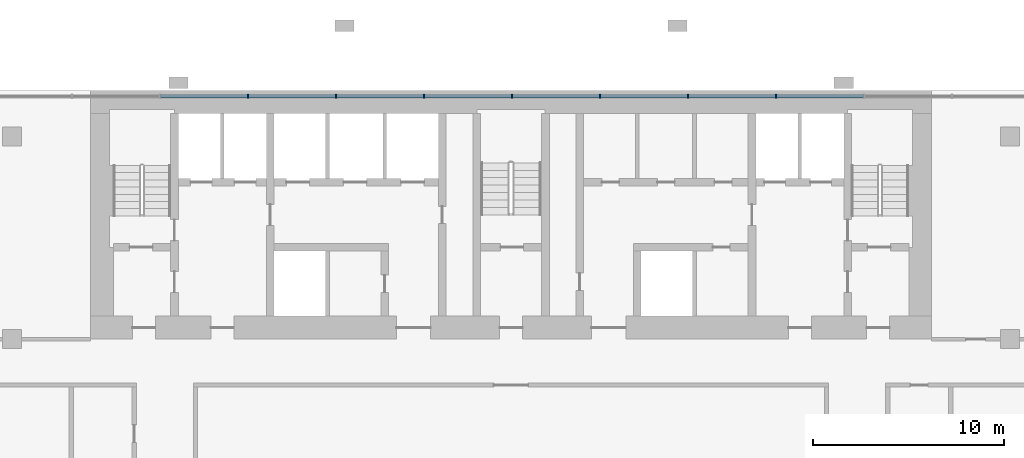
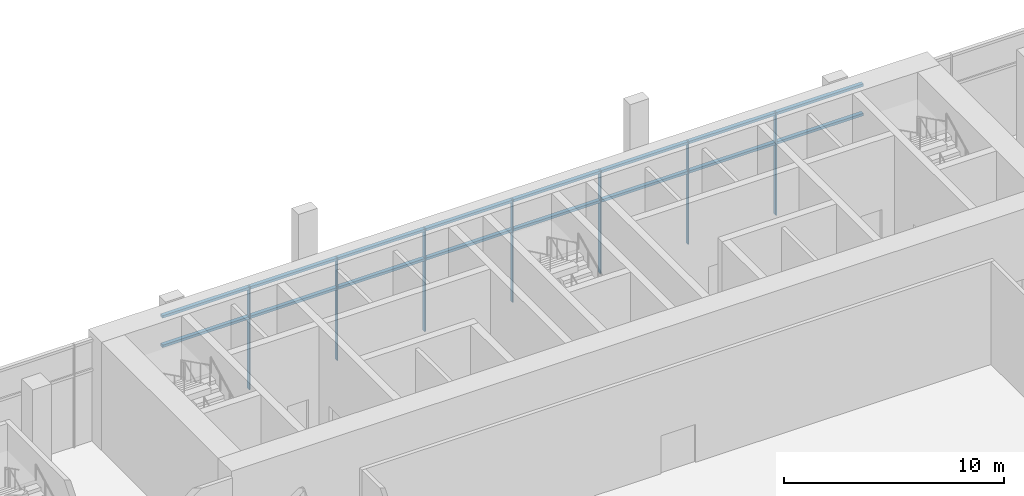
# One storey, part 6 of 21: 23 members, 1 element without a shape of its own.
"""IFC4 building model written with IfcOpenShell, lengths in metres."""

from ifc_helpers import new_model, si_unit, direction, frame, origin, origin_2d, place, context, subcontext, project, spatial, rectangle, extrude, material, material_profile, profile_set, type_object, element, aggregate, save


model = new_model("IFC4")

# Units and contexts
model_context = context("Model", 3, precision=1e-05, world=origin(), true_north=direction((0.0, 1.0)))
body_context = subcontext(model_context, "Body", "Model", "MODEL_VIEW")
ifc_project = project(units=[si_unit("LENGTHUNIT", "METRE"), si_unit("AREAUNIT", "SQUARE_METRE"), si_unit("VOLUMEUNIT", "CUBIC_METRE"), si_unit("PLANEANGLEUNIT", "RADIAN"), si_unit("MASSUNIT", "GRAM", prefix="KILO")], contexts=[model_context])

# Site, building, storey
site_placement = place(None, origin())
site = spatial("IfcSite", under=ifc_project, at=site_placement, CompositionType="ELEMENT")
building_placement = place(site_placement, origin())
building = spatial("IfcBuilding", under=site, at=building_placement, Name="Bicima Exchange Tower", CompositionType="ELEMENT")
storey_placement = place(building_placement, frame((0.0, 0.0, 8.0)))
storey = spatial("IfcBuildingStorey", under=building, at=storey_placement, Name="L01", CompositionType="ELEMENT", Elevation=8.0)

# Curtain wall, members
ifc_material = material(Name="Anodised bronze aluminium", Category="aluminium")
curtain_wall_type = type_object("IfcCurtainWallType", Name="Lobby glazing", PredefinedType="NOTDEFINED", material=ifc_material)
curtain_wall_placement = place(storey_placement, origin())
curtain_wall = element("IfcCurtainWall", 1, at=curtain_wall_placement, inside=storey, type_object=curtain_wall_type, Name="Podium glazing L01 north 1", PredefinedType="NOTDEFINED")
ifc_material_profile_1 = material_profile(ifc_material, rectangle(XDim=0.199951171875, YDim=0.06005859375, at=origin_2d()))
ifc_profile_set_1 = profile_set([ifc_material_profile_1], Name="Anodised bronze aluminium")
member_type_1 = type_object("IfcMemberType", Name="Lobby glazing mullion 60 x 200", PredefinedType="MULLION", material=ifc_profile_set_1)
member_1_placement = place(storey_placement, frame((13.85595703125, -0.300048828125, 0.0), z_axis=(0.0, 0.0, 1.0), x_axis=(0.0, -1.0, 0.0)))
member_1 = element("IfcMember", 2, at=member_1_placement, type_object=member_type_1, Name="Lobby glazing mullion 8", PredefinedType="MULLION", context=body_context, shape_type="SweptSolid", body=[
    extrude(rectangle(XDim=0.199951171875, YDim=0.06005859375, at=origin_2d()), origin(), (0.0, 0.0, 1.0), 5.699951171875),
])
member_2_placement = place(storey_placement, frame((9.25390625, -0.300048828125, 0.0), z_axis=(0.0, 0.0, 1.0), x_axis=(0.0, -1.0, 0.0)))
member_2 = element("IfcMember", 3, at=member_2_placement, type_object=member_type_1, Name="Lobby glazing mullion 9", PredefinedType="MULLION", context=body_context, shape_type="SweptSolid", body=[
    extrude(rectangle(XDim=0.199951171875, YDim=0.06005859375, at=origin_2d()), origin(), (0.0, 0.0, 1.0), 5.699951171875),
])
member_3_placement = place(storey_placement, frame((4.652099609375, -0.300048828125, 0.0), z_axis=(0.0, 0.0, 1.0), x_axis=(0.0, -1.0, 0.0)))
member_3 = element("IfcMember", 4, at=member_3_placement, type_object=member_type_1, Name="Lobby glazing mullion 10", PredefinedType="MULLION", context=body_context, shape_type="SweptSolid", body=[
    extrude(rectangle(XDim=0.199951171875, YDim=0.06005859375, at=origin_2d()), origin(), (0.0, 0.0, 1.0), 5.699951171875),
])
member_4_placement = place(storey_placement, frame((0.050048828125, -0.300048828125, 0.0), z_axis=(0.0, 0.0, 1.0), x_axis=(0.0, -1.0, 0.0)))
member_4 = element("IfcMember", 5, at=member_4_placement, type_object=member_type_1, Name="Lobby glazing mullion 11", PredefinedType="MULLION", context=body_context, shape_type="SweptSolid", body=[
    extrude(rectangle(XDim=0.199951171875, YDim=0.06005859375, at=origin_2d()), origin(), (0.0, 0.0, 1.0), 5.699951171875),
])
member_5_placement = place(storey_placement, frame((-4.552001953125, -0.300048828125, 0.0), z_axis=(0.0, 0.0, 1.0), x_axis=(0.0, -1.0, 0.0)))
member_5 = element("IfcMember", 6, at=member_5_placement, type_object=member_type_1, Name="Lobby glazing mullion 12", PredefinedType="MULLION", context=body_context, shape_type="SweptSolid", body=[
    extrude(rectangle(XDim=0.199951171875, YDim=0.06005859375, at=origin_2d()), origin(), (0.0, 0.0, 1.0), 5.699951171875),
])
member_6_placement = place(storey_placement, frame((-9.154052734375, -0.300048828125, 0.0), z_axis=(0.0, 0.0, 1.0), x_axis=(0.0, -1.0, 0.0)))
member_6 = element("IfcMember", 7, at=member_6_placement, type_object=member_type_1, Name="Lobby glazing mullion 13", PredefinedType="MULLION", context=body_context, shape_type="SweptSolid", body=[
    extrude(rectangle(XDim=0.199951171875, YDim=0.06005859375, at=origin_2d()), origin(), (0.0, 0.0, 1.0), 5.699951171875),
])
member_7_placement = place(storey_placement, frame((-13.756103515625, -0.300048828125, 0.0), z_axis=(0.0, 0.0, 1.0), x_axis=(0.0, -1.0, 0.0)))
member_7 = element("IfcMember", 8, at=member_7_placement, type_object=member_type_1, Name="Lobby glazing mullion 14", PredefinedType="MULLION", context=body_context, shape_type="SweptSolid", body=[
    extrude(rectangle(XDim=0.199951171875, YDim=0.06005859375, at=origin_2d()), origin(), (0.0, 0.0, 1.0), 5.699951171875),
])
ifc_material_profile_2 = material_profile(ifc_material, rectangle(XDim=0.199951171875, YDim=0.139892578125, at=origin_2d()))
ifc_profile_set_2 = profile_set([ifc_material_profile_2], Name="Anodised bronze aluminium")
member_type_2 = type_object("IfcMemberType", Name="Lobby glazing transom 140 x 200", PredefinedType="USERDEFINED", material=ifc_profile_set_2)
member_8_placement = place(storey_placement, frame((18.427978515625, -0.300048828125, 4.0), z_axis=(-1.0, 0.0, 0.0), x_axis=(0.0, -1.0, 0.0)))
member_8 = element("IfcMember", 9, at=member_8_placement, type_object=member_type_2, Name="Lobby glazing transom 7.1", ObjectType="TRANSOM", PredefinedType="USERDEFINED", context=body_context, shape_type="SweptSolid", body=[
    extrude(rectangle(XDim=0.199951171875, YDim=0.139892578125, at=origin_2d()), origin(), (0.0, 0.0, 1.0), 4.5419921875),
])
member_9_placement = place(storey_placement, frame((18.427978515625, -0.300048828125, 5.6298828125), z_axis=(-1.0, 0.0, 0.0), x_axis=(0.0, -1.0, 0.0)))
member_9 = element("IfcMember", 10, at=member_9_placement, type_object=member_type_2, Name="Lobby glazing transom 7.2", ObjectType="TRANSOM", PredefinedType="USERDEFINED", context=body_context, shape_type="SweptSolid", body=[
    extrude(rectangle(XDim=0.199951171875, YDim=0.139892578125, at=origin_2d()), origin(), (0.0, 0.0, 1.0), 4.5419921875),
])
member_10_placement = place(storey_placement, frame((13.825927734375, -0.300048828125, 4.0), z_axis=(-1.0, 0.0, 0.0), x_axis=(0.0, -1.0, 0.0)))
member_10 = element("IfcMember", 11, at=member_10_placement, type_object=member_type_2, Name="Lobby glazing transom 8.1", ObjectType="TRANSOM", PredefinedType="USERDEFINED", context=body_context, shape_type="SweptSolid", body=[
    extrude(rectangle(XDim=0.199951171875, YDim=0.139892578125, at=origin_2d()), origin(), (0.0, 0.0, 1.0), 4.5419921875),
])
member_11_placement = place(storey_placement, frame((13.825927734375, -0.300048828125, 5.6298828125), z_axis=(-1.0, 0.0, 0.0), x_axis=(0.0, -1.0, 0.0)))
member_11 = element("IfcMember", 12, at=member_11_placement, type_object=member_type_2, Name="Lobby glazing transom 8.2", ObjectType="TRANSOM", PredefinedType="USERDEFINED", context=body_context, shape_type="SweptSolid", body=[
    extrude(rectangle(XDim=0.199951171875, YDim=0.139892578125, at=origin_2d()), origin(), (0.0, 0.0, 1.0), 4.5419921875),
])
member_12_placement = place(storey_placement, frame((9.22412109375, -0.300048828125, 4.0), z_axis=(-1.0, 0.0, 0.0), x_axis=(0.0, -1.0, 0.0)))
member_12 = element("IfcMember", 13, at=member_12_placement, type_object=member_type_2, Name="Lobby glazing transom 9.1", ObjectType="TRANSOM", PredefinedType="USERDEFINED", context=body_context, shape_type="SweptSolid", body=[
    extrude(rectangle(XDim=0.199951171875, YDim=0.139892578125, at=origin_2d()), origin(), (0.0, 0.0, 1.0), 4.542236328125),
])
member_13_placement = place(storey_placement, frame((9.22412109375, -0.300048828125, 5.6298828125), z_axis=(-1.0, 0.0, 0.0), x_axis=(0.0, -1.0, 0.0)))
member_13 = element("IfcMember", 14, at=member_13_placement, type_object=member_type_2, Name="Lobby glazing transom 9.2", ObjectType="TRANSOM", PredefinedType="USERDEFINED", context=body_context, shape_type="SweptSolid", body=[
    extrude(rectangle(XDim=0.199951171875, YDim=0.139892578125, at=origin_2d()), origin(), (0.0, 0.0, 1.0), 4.542236328125),
])
member_14_placement = place(storey_placement, frame((4.6220703125, -0.300048828125, 4.0), z_axis=(-1.0, 0.0, 0.0), x_axis=(0.0, -1.0, 0.0)))
member_14 = element("IfcMember", 15, at=member_14_placement, type_object=member_type_2, Name="Lobby glazing transom 10.1", ObjectType="TRANSOM", PredefinedType="USERDEFINED", context=body_context, shape_type="SweptSolid", body=[
    extrude(rectangle(XDim=0.199951171875, YDim=0.139892578125, at=origin_2d()), origin(), (0.0, 0.0, 1.0), 4.5419921875),
])
member_15_placement = place(storey_placement, frame((4.6220703125, -0.300048828125, 5.6298828125), z_axis=(-1.0, 0.0, 0.0), x_axis=(0.0, -1.0, 0.0)))
member_15 = element("IfcMember", 16, at=member_15_placement, type_object=member_type_2, Name="Lobby glazing transom 10.2", ObjectType="TRANSOM", PredefinedType="USERDEFINED", context=body_context, shape_type="SweptSolid", body=[
    extrude(rectangle(XDim=0.199951171875, YDim=0.139892578125, at=origin_2d()), origin(), (0.0, 0.0, 1.0), 4.5419921875),
])
member_16_placement = place(storey_placement, frame((0.02001953125, -0.300048828125, 4.0), z_axis=(-1.0, 0.0, 0.0), x_axis=(0.0, -1.0, 0.0)))
member_16 = element("IfcMember", 17, at=member_16_placement, type_object=member_type_2, Name="Lobby glazing transom 11.1", ObjectType="TRANSOM", PredefinedType="USERDEFINED", context=body_context, shape_type="SweptSolid", body=[
    extrude(rectangle(XDim=0.199951171875, YDim=0.139892578125, at=origin_2d()), origin(), (0.0, 0.0, 1.0), 4.5419921875),
])
member_17_placement = place(storey_placement, frame((0.02001953125, -0.300048828125, 5.6298828125), z_axis=(-1.0, 0.0, 0.0), x_axis=(0.0, -1.0, 0.0)))
member_17 = element("IfcMember", 18, at=member_17_placement, type_object=member_type_2, Name="Lobby glazing transom 11.2", ObjectType="TRANSOM", PredefinedType="USERDEFINED", context=body_context, shape_type="SweptSolid", body=[
    extrude(rectangle(XDim=0.199951171875, YDim=0.139892578125, at=origin_2d()), origin(), (0.0, 0.0, 1.0), 4.5419921875),
])
member_18_placement = place(storey_placement, frame((-4.58203125, -0.300048828125, 4.0), z_axis=(-1.0, 0.0, 0.0), x_axis=(0.0, -1.0, 0.0)))
member_18 = element("IfcMember", 19, at=member_18_placement, type_object=member_type_2, Name="Lobby glazing transom 12.1", ObjectType="TRANSOM", PredefinedType="USERDEFINED", context=body_context, shape_type="SweptSolid", body=[
    extrude(rectangle(XDim=0.199951171875, YDim=0.139892578125, at=origin_2d()), origin(), (0.0, 0.0, 1.0), 4.5419921875),
])
member_19_placement = place(storey_placement, frame((-4.58203125, -0.300048828125, 5.6298828125), z_axis=(-1.0, 0.0, 0.0), x_axis=(0.0, -1.0, 0.0)))
member_19 = element("IfcMember", 20, at=member_19_placement, type_object=member_type_2, Name="Lobby glazing transom 12.2", ObjectType="TRANSOM", PredefinedType="USERDEFINED", context=body_context, shape_type="SweptSolid", body=[
    extrude(rectangle(XDim=0.199951171875, YDim=0.139892578125, at=origin_2d()), origin(), (0.0, 0.0, 1.0), 4.5419921875),
])
member_20_placement = place(storey_placement, frame((-9.18408203125, -0.300048828125, 4.0), z_axis=(-1.0, 0.0, 0.0), x_axis=(0.0, -1.0, 0.0)))
member_20 = element("IfcMember", 21, at=member_20_placement, type_object=member_type_2, Name="Lobby glazing transom 13.1", ObjectType="TRANSOM", PredefinedType="USERDEFINED", context=body_context, shape_type="SweptSolid", body=[
    extrude(rectangle(XDim=0.199951171875, YDim=0.139892578125, at=origin_2d()), origin(), (0.0, 0.0, 1.0), 4.5419921875),
])
member_21_placement = place(storey_placement, frame((-9.18408203125, -0.300048828125, 5.6298828125), z_axis=(-1.0, 0.0, 0.0), x_axis=(0.0, -1.0, 0.0)))
member_21 = element("IfcMember", 22, at=member_21_placement, type_object=member_type_2, Name="Lobby glazing transom 13.2", ObjectType="TRANSOM", PredefinedType="USERDEFINED", context=body_context, shape_type="SweptSolid", body=[
    extrude(rectangle(XDim=0.199951171875, YDim=0.139892578125, at=origin_2d()), origin(), (0.0, 0.0, 1.0), 4.5419921875),
])
member_22_placement = place(storey_placement, frame((-13.785888671875, -0.300048828125, 4.0), z_axis=(-1.0, 0.0, 0.0), x_axis=(0.0, -1.0, 0.0)))
member_22 = element("IfcMember", 23, at=member_22_placement, type_object=member_type_2, Name="Lobby glazing transom 14.1", ObjectType="TRANSOM", PredefinedType="USERDEFINED", context=body_context, shape_type="SweptSolid", body=[
    extrude(rectangle(XDim=0.199951171875, YDim=0.139892578125, at=origin_2d()), origin(), (0.0, 0.0, 1.0), 4.5419921875),
])
member_23_placement = place(storey_placement, frame((-13.785888671875, -0.300048828125, 5.6298828125), z_axis=(-1.0, 0.0, 0.0), x_axis=(0.0, -1.0, 0.0)))
member_23 = element("IfcMember", 24, at=member_23_placement, type_object=member_type_2, Name="Lobby glazing transom 14.2", ObjectType="TRANSOM", PredefinedType="USERDEFINED", context=body_context, shape_type="SweptSolid", body=[
    extrude(rectangle(XDim=0.199951171875, YDim=0.139892578125, at=origin_2d()), origin(), (0.0, 0.0, 1.0), 4.5419921875),
])
aggregate(curtain_wall, [member_1, member_2, member_3, member_4, member_5, member_6, member_7, member_8, member_9, member_10, member_11, member_12, member_13, member_14, member_15, member_16, member_17, member_18, member_19, member_20, member_21, member_22, member_23])

save(model, "model.ifc")
